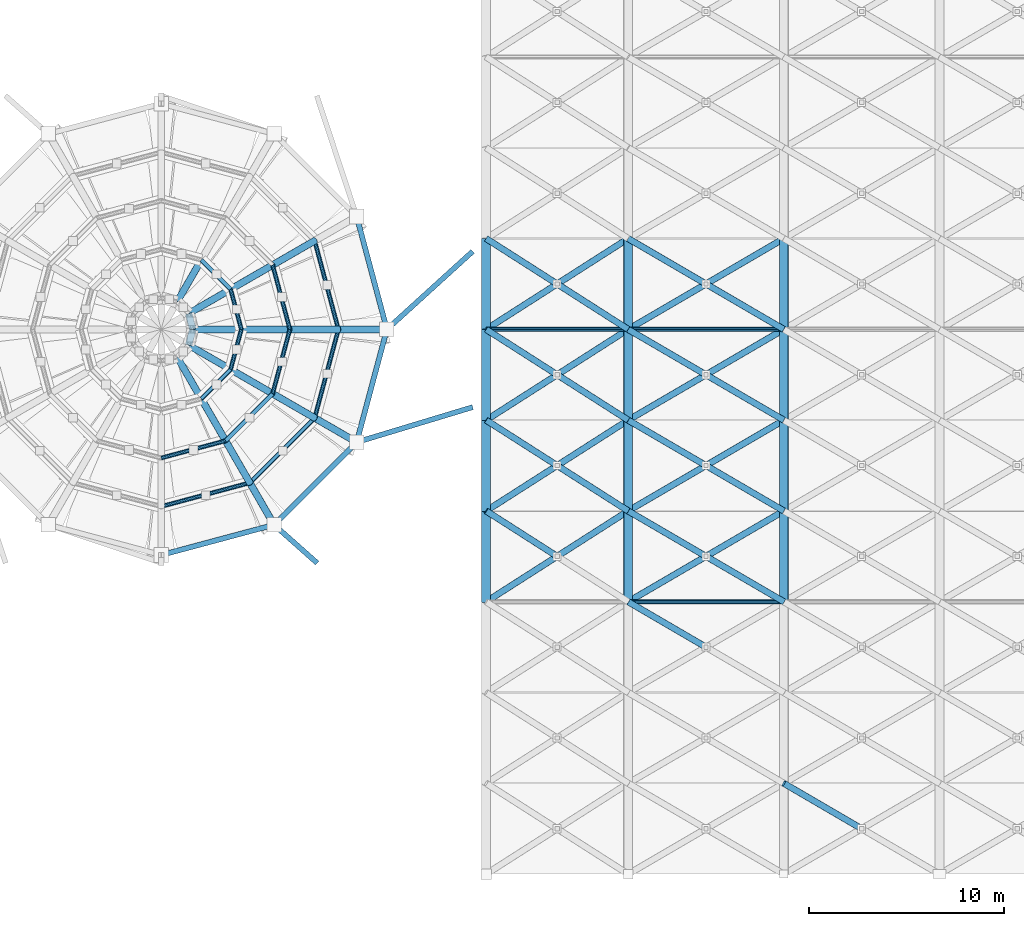
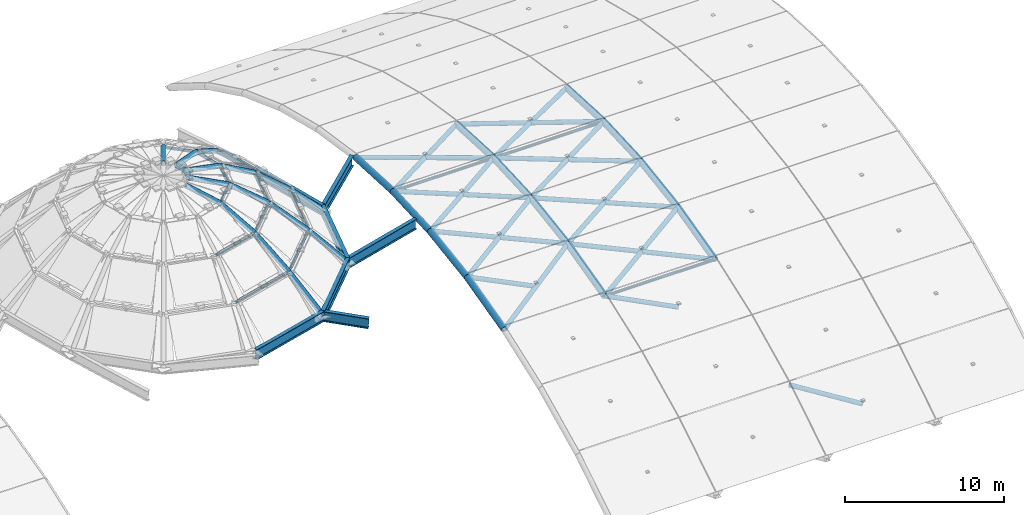
# One storey, part 8 of 21: 70 members, 7 beams.
"""IFC4 building model written with IfcOpenShell, lengths in metres."""

from ifc_helpers import new_model, si_unit, direction, frame, origin, origin_2d, place, context, subcontext, project, spatial, hollow_circle, i_section, extrude, material, material_profile, profile_set, type_object, element, save


model = new_model("IFC4")

# Units and contexts
model_context = context("Model", 3, precision=1e-05, world=origin(), true_north=direction((0.0, 1.0)))
body_context = subcontext(model_context, "Body", "Model", "MODEL_VIEW")
ifc_project = project(units=[si_unit("LENGTHUNIT", "METRE"), si_unit("AREAUNIT", "SQUARE_METRE"), si_unit("VOLUMEUNIT", "CUBIC_METRE"), si_unit("PLANEANGLEUNIT", "RADIAN"), si_unit("MASSUNIT", "GRAM", prefix="KILO")], contexts=[model_context])

# Site, building, storey
site_placement = place(None, origin())
site = spatial("IfcSite", under=ifc_project, at=site_placement, CompositionType="ELEMENT")
building_placement = place(site_placement, origin())
building = spatial("IfcBuilding", under=site, at=building_placement, Name="Solmirada Galleria", CompositionType="ELEMENT")
storey_placement = place(building_placement, frame((0.0, 0.0, 37.5)))
storey = spatial("IfcBuildingStorey", under=building, at=storey_placement, Name="RF", CompositionType="ELEMENT", Elevation=37.5)

# Beams
ifc_material_1 = material(Name="Steel S355 / ASTM A992 Grade 50", Category="steel")
ifc_material_profile_1 = material_profile(ifc_material_1, i_section(OverallWidth=0.26708984375, OverallDepth=0.779052734375, WebThickness=0.0166015625, FlangeThickness=0.030029296875, FilletRadius=0.01904296875, at=origin_2d()), Name="W30X148")
ifc_profile_set_1 = profile_set([ifc_material_profile_1], Name="Steel S355 / ASTM A992 Grade 50")
beam_type = type_object("IfcBeamType", Name="BM-DOME-RING", PredefinedType="BEAM", material=ifc_profile_set_1)
beam_1_placement = place(storey_placement, frame((112.0, 64.0, -0.14990234375), z_axis=(-0.739697640812, -0.672467325883, 0.025201107061), x_axis=(0.672680968237, -0.739932642186, 0.0)))
element("IfcBeam", 1, at=beam_1_placement, inside=storey, type_object=beam_type, Name="Atrium dome drum anchor beam 1", PredefinedType="BEAM", context=body_context, shape_type="SweptSolid", body=[
    extrude(i_section(OverallWidth=0.26708984375, OverallDepth=0.779052734375, WebThickness=0.0166015625, FlangeThickness=0.030029296875, FilletRadius=0.01904296875, at=origin_2d()), origin(), (0.0, 0.0, 1.0), 5.9482421875),
])
for number, where, z_axis, x_axis, name in (
    (2, (107.60009765625, 60.0, 0.0), (-0.258831602855, 0.965922461362, 0.0), (-0.965922461362, -0.258831602855, 0.0), "Atrium dome tension ring beam 1"),
    (3, (96.0, 48.39990234375, 0.0), (0.965922461362, 0.258831602855, 0.0), (-0.258831602855, 0.965922461362, 0.0), "Atrium dome tension ring beam 10"),
):
    element("IfcBeam", number, at=place(storey_placement, frame(where, z_axis=z_axis, x_axis=x_axis)), inside=storey, type_object=beam_type, Name=name, PredefinedType="BEAM", context=body_context, shape_type="SweptSolid", body=[
        extrude(i_section(OverallWidth=0.26708984375, OverallDepth=0.779052734375, WebThickness=0.0166015625, FlangeThickness=0.030029296875, FilletRadius=0.01904296875, at=origin_2d()), origin(), (0.0, 0.0, 1.0), 6.004638671875),
    ])
beam_2_placement = place(storey_placement, frame((104.0, 48.0, -0.14990234375), z_axis=(-0.746679017327, 0.663235917733, 0.050877917727), x_axis=(-0.664096001696, -0.747647310255, 0.0)))
element("IfcBeam", 4, at=beam_2_placement, inside=storey, type_object=beam_type, Name="Atrium dome drum anchor beam 11", PredefinedType="BEAM", context=body_context, shape_type="SweptSolid", body=[
    extrude(i_section(OverallWidth=0.26708984375, OverallDepth=0.779052734375, WebThickness=0.0166015625, FlangeThickness=0.030029296875, FilletRadius=0.01904296875, at=origin_2d()), origin(), (0.0, 0.0, 1.0), 2.9462890625),
])
beam_3_placement = place(storey_placement, frame((101.800048828125, 49.9541015625, 0.0), z_axis=(0.707106781187, 0.707106781187, 0.0), x_axis=(-0.707106781187, 0.707106781187, 0.0)))
element("IfcBeam", 5, at=beam_3_placement, inside=storey, type_object=beam_type, Name="Atrium dome tension ring beam 11", PredefinedType="BEAM", context=body_context, shape_type="SweptSolid", body=[
    extrude(i_section(OverallWidth=0.26708984375, OverallDepth=0.779052734375, WebThickness=0.0166015625, FlangeThickness=0.030029296875, FilletRadius=0.01904296875, at=origin_2d()), origin(), (0.0, 0.0, 1.0), 6.004638671875),
])
beam_4_placement = place(storey_placement, frame((112.0, 56.0, -0.14990234375), z_axis=(-0.956934854182, -0.289301323597, 0.024092094492), x_axis=(0.289385319605, -0.957212691515, 0.0)))
element("IfcBeam", 6, at=beam_4_placement, inside=storey, type_object=beam_type, Name="Atrium dome drum anchor beam 12", PredefinedType="BEAM", context=body_context, shape_type="SweptSolid", body=[
    extrude(i_section(OverallWidth=0.26708984375, OverallDepth=0.779052734375, WebThickness=0.0166015625, FlangeThickness=0.030029296875, FilletRadius=0.01904296875, at=origin_2d()), origin(), (0.0, 0.0, 1.0), 6.22216796875),
])
beam_5_placement = place(storey_placement, frame((106.0458984375, 54.199951171875, 0.0), z_axis=(0.258831602855, 0.965922461362, 0.0), x_axis=(-0.965922461362, 0.258831602855, 0.0)))
element("IfcBeam", 7, at=beam_5_placement, inside=storey, type_object=beam_type, Name="Atrium dome tension ring beam 12", PredefinedType="BEAM", context=body_context, shape_type="SweptSolid", body=[
    extrude(i_section(OverallWidth=0.26708984375, OverallDepth=0.779052734375, WebThickness=0.0166015625, FlangeThickness=0.030029296875, FilletRadius=0.01904296875, at=origin_2d()), origin(), (0.0, 0.0, 1.0), 6.004638671875),
])

# Members
ifc_material_2 = material(Name="Steel S355 / ASTM A500 Grade C", Category="steel")
ifc_material_profile_2 = material_profile(ifc_material_2, hollow_circle(Radius=0.109619140625, WallThickness=0.007568359375, at=origin_2d()), Name="HSS8.625X0.322")
ifc_profile_set_2 = profile_set([ifc_material_profile_2], Name="Steel S355 / ASTM A500 Grade C")
member_type_1 = type_object("IfcMemberType", Name="MEM-DOME-PURL", PredefinedType="PURLIN", material=ifc_profile_set_2)
member_1_placement = place(storey_placement, frame((112.699951171875, 60.0, -0.360107421875), z_axis=(1.0, 0.0, 0.0), x_axis=(0.0, 1.0, 0.0)))
element("IfcMember", 8, at=member_1_placement, inside=storey, type_object=member_type_1, Name="Barrel gridshell longitudinal tie E00-06", PredefinedType="PURLIN", context=body_context, shape_type="SweptSolid", body=[
    extrude(hollow_circle(Radius=0.109619140625, WallThickness=0.007568359375, at=origin_2d()), origin(), (0.0, 0.0, 1.0), 7.300048828125),
])
for number, where, z_axis, x_axis, name in (
    (9, (120.0, 46.0, -2.471923828125), (1.0, 0.0, 0.0), (0.0, 1.0, 0.0), "Barrel gridshell longitudinal tie E01-03"),
    (10, (120.0, 60.0, -0.360107421875), (1.0, 0.0, 0.0), (0.0, 1.0, 0.0), "Barrel gridshell longitudinal tie E01-06"),
):
    element("IfcMember", number, at=place(storey_placement, frame(where, z_axis=z_axis, x_axis=x_axis)), inside=storey, type_object=member_type_1, Name=name, PredefinedType="PURLIN", context=body_context, shape_type="SweptSolid", body=[
        extrude(hollow_circle(Radius=0.109619140625, WallThickness=0.007568359375, at=origin_2d()), origin(), (0.0, 0.0, 1.0), 8.0),
    ])
for number, where, z_axis, x_axis, name in (
    (11, (105.10595703125, 60.0, 2.4873046875), (-0.258819794647, 0.965925625449, 0.0), (-0.965925625449, -0.258819794647, 0.0), "Atrium dome latitude ring purlin 1.1"),
    (12, (96.0, 50.89404296875, 2.4873046875), (0.965925625449, 0.258819794647, 0.0), (-0.258819794647, 0.965925625449, 0.0), "Atrium dome latitude ring purlin 10.1"),
    (13, (100.552978515625, 52.114013671875, 2.4873046875), (0.707106781187, 0.707106781187, 0.0), (-0.707106781187, 0.707106781187, 0.0), "Atrium dome latitude ring purlin 11.1"),
    (14, (103.885986328125, 55.447021484375, 2.4873046875), (0.258819794647, 0.965925625449, 0.0), (-0.965925625449, 0.258819794647, 0.0), "Atrium dome latitude ring purlin 12.1"),
):
    element("IfcMember", number, at=place(storey_placement, frame(where, z_axis=z_axis, x_axis=x_axis)), inside=storey, type_object=member_type_1, Name=name, PredefinedType="PURLIN", context=body_context, shape_type="SweptSolid", body=[
        extrude(hollow_circle(Radius=0.109619140625, WallThickness=0.007568359375, at=origin_2d()), origin(), (0.0, 0.0, 1.0), 4.713623046875),
    ])
for number, where, z_axis, x_axis, name in (
    (15, (102.612060546875, 60.0, 4.59619140625), (-0.258799077462, 0.965931176381, 0.0), (-0.965931176381, -0.258799077462, 0.0), "Atrium dome latitude ring purlin 1.2"),
    (16, (96.0, 53.387939453125, 4.59619140625), (0.965931176381, 0.258799077462, 0.0), (-0.258799077462, 0.965931176381, 0.0), "Atrium dome latitude ring purlin 10.2"),
):
    element("IfcMember", number, at=place(storey_placement, frame(where, z_axis=z_axis, x_axis=x_axis)), inside=storey, type_object=member_type_1, Name=name, PredefinedType="PURLIN", context=body_context, shape_type="SweptSolid", body=[
        extrude(hollow_circle(Radius=0.109619140625, WallThickness=0.007568359375, at=origin_2d()), origin(), (0.0, 0.0, 1.0), 3.422607421875),
    ])
member_2_placement = place(storey_placement, frame((99.305908203125, 54.273681640625, 4.59619140625), z_axis=(0.707106781187, 0.707106781187, 0.0), x_axis=(-0.707106781187, 0.707106781187, 0.0)))
element("IfcMember", 17, at=member_2_placement, inside=storey, type_object=member_type_1, Name="Atrium dome latitude ring purlin 11.2", PredefinedType="PURLIN", context=body_context, shape_type="SweptSolid", body=[
    extrude(hollow_circle(Radius=0.109619140625, WallThickness=0.007568359375, at=origin_2d()), origin(), (0.0, 0.0, 1.0), 3.423095703125),
])
member_3_placement = place(storey_placement, frame((101.726318359375, 56.694091796875, 4.59619140625), z_axis=(0.258799077462, 0.965931176381, 0.0), x_axis=(-0.965931176381, 0.258799077462, 0.0)))
element("IfcMember", 18, at=member_3_placement, inside=storey, type_object=member_type_1, Name="Atrium dome latitude ring purlin 12.2", PredefinedType="PURLIN", context=body_context, shape_type="SweptSolid", body=[
    extrude(hollow_circle(Radius=0.109619140625, WallThickness=0.007568359375, at=origin_2d()), origin(), (0.0, 0.0, 1.0), 3.422607421875),
])
for number, where, z_axis, x_axis, name in (
    (19, (100.117919921875, 60.0, 6.005126953125), (-0.258724635553, 0.965951118307, 0.0), (-0.965951118307, -0.258724635553, 0.0), "Atrium dome latitude ring purlin 1.3"),
    (20, (99.56640625, 62.05908203125, 6.005126953125), (-0.707106781187, 0.707106781187, 0.0), (-0.707106781187, -0.707106781187, 0.0), "Atrium dome latitude ring purlin 2.3"),
    (21, (98.05908203125, 56.43359375, 6.005126953125), (0.707106781187, 0.707106781187, 0.0), (-0.707106781187, 0.707106781187, 0.0), "Atrium dome latitude ring purlin 11.3"),
    (22, (99.56640625, 57.94091796875, 6.005126953125), (0.258724635553, 0.965951118307, 0.0), (-0.965951118307, 0.258724635553, 0.0), "Atrium dome latitude ring purlin 12.3"),
):
    element("IfcMember", number, at=place(storey_placement, frame(where, z_axis=z_axis, x_axis=x_axis)), inside=storey, type_object=member_type_1, Name=name, PredefinedType="PURLIN", context=body_context, shape_type="SweptSolid", body=[
        extrude(hollow_circle(Radius=0.109619140625, WallThickness=0.007568359375, at=origin_2d()), origin(), (0.0, 0.0, 1.0), 2.131591796875),
    ])
ifc_material_profile_3 = material_profile(ifc_material_2, hollow_circle(Radius=0.177978515625, WallThickness=0.01171875, at=origin_2d()), Name="HSS14.000X0.500")
ifc_profile_set_3 = profile_set([ifc_material_profile_3], Name="Steel S355 / ASTM A500 Grade C")
member_type_2 = type_object("IfcMemberType", Name="MEM-DOME-RIB", PredefinedType="RAFTER", material=ifc_profile_set_3)
for number, where, z_axis, x_axis, name in (
    (23, (97.6240234375, 60.0, 6.5), (-0.258765118567, 0.965940274247, 0.0), (-0.965940274247, -0.258765118567, 0.0), "Atrium dome crown compression ring 1"),
    (24, (97.406494140625, 59.18798828125, 6.5), (0.258765118567, 0.965940274247, 0.0), (-0.965940274247, 0.258765118567, 0.0), "Atrium dome crown compression ring 12"),
):
    element("IfcMember", number, at=place(storey_placement, frame(where, z_axis=z_axis, x_axis=x_axis)), inside=storey, type_object=member_type_2, Name=name, PredefinedType="RAFTER", context=body_context, shape_type="SweptSolid", body=[
        extrude(hollow_circle(Radius=0.177978515625, WallThickness=0.01171875, at=origin_2d()), origin(), (0.0, 0.0, 1.0), 0.840576171875),
    ])
for number, where, z_axis, x_axis, name in (
    (25, (107.60009765625, 60.0, 0.0), (-0.708076462934, 0.0, 0.706135767851), (0.0, -1.0, 0.0), "Atrium dome meridian rib 1.1"),
    (26, (101.800048828125, 49.9541015625, 0.0), (-0.354042979296, 0.613198558699, 0.706145237484), (-0.866017682129, -0.500013374061, 0.0), "Atrium dome meridian rib 11.1"),
    (27, (106.0458984375, 54.199951171875, 0.0), (-0.613198558699, 0.354042979296, 0.706145237484), (-0.500013374061, -0.866017682129, 0.0), "Atrium dome meridian rib 12.1"),
):
    element("IfcMember", number, at=place(storey_placement, frame(where, z_axis=z_axis, x_axis=x_axis)), inside=storey, type_object=member_type_2, Name=name, PredefinedType="RAFTER", context=body_context, shape_type="SweptSolid", body=[
        extrude(hollow_circle(Radius=0.177978515625, WallThickness=0.01171875, at=origin_2d()), origin(), (0.0, 0.0, 1.0), 3.5224609375),
    ])
for number, where, z_axis, x_axis, name in (
    (28, (105.10595703125, 60.0, 2.4873046875), (-0.763587562078, 0.0, 0.645704293806), (0.0, -1.0, 0.0), "Atrium dome meridian rib 1.2"),
    (29, (103.885986328125, 64.552978515625, 2.4873046875), (-0.661257882083, -0.381834191915, 0.645709426343), (0.500055764683, -0.865993205636, 0.0), "Atrium dome meridian rib 2.2"),
    (30, (100.552978515625, 52.114013671875, 2.4873046875), (-0.381834191915, 0.661257882083, 0.645709426343), (-0.865993205636, -0.500055764683, 0.0), "Atrium dome meridian rib 11.2"),
    (31, (103.885986328125, 55.447021484375, 2.4873046875), (-0.661257882083, 0.381834191915, 0.645709426343), (-0.500055764683, -0.865993205636, 0.0), "Atrium dome meridian rib 12.2"),
):
    element("IfcMember", number, at=place(storey_placement, frame(where, z_axis=z_axis, x_axis=x_axis)), inside=storey, type_object=member_type_2, Name=name, PredefinedType="RAFTER", context=body_context, shape_type="SweptSolid", body=[
        extrude(hollow_circle(Radius=0.177978515625, WallThickness=0.01171875, at=origin_2d()), origin(), (0.0, 0.0, 1.0), 3.26611328125),
    ])
for number, where, z_axis, x_axis, name in (
    (32, (102.612060546875, 60.0, 4.59619140625), (-0.870681862804, 0.0, 0.491846616116), (0.0, -1.0, 0.0), "Atrium dome meridian rib 1.3"),
    (33, (101.726318359375, 63.305908203125, 4.59619140625), (-0.754048985924, -0.435280679452, 0.491874838676), (0.499939953764, -0.866060068719, 0.0), "Atrium dome meridian rib 2.3"),
    (34, (99.305908203125, 54.273681640625, 4.59619140625), (-0.435280679452, 0.754048985924, 0.491874838676), (-0.866060068719, -0.499939953764, 0.0), "Atrium dome meridian rib 11.3"),
    (35, (101.726318359375, 56.694091796875, 4.59619140625), (-0.754048985924, 0.435280679452, 0.491874838676), (-0.499939953764, -0.866060068719, 0.0), "Atrium dome meridian rib 12.3"),
):
    element("IfcMember", number, at=place(storey_placement, frame(where, z_axis=z_axis, x_axis=x_axis)), inside=storey, type_object=member_type_2, Name=name, PredefinedType="RAFTER", context=body_context, shape_type="SweptSolid", body=[
        extrude(hollow_circle(Radius=0.177978515625, WallThickness=0.01171875, at=origin_2d()), origin(), (0.0, 0.0, 1.0), 2.864501953125),
    ])
member_4_placement = place(storey_placement, frame((100.117919921875, 60.0, 6.005126953125), z_axis=(-0.980875018314, 0.0, 0.194638635548), x_axis=(0.0, -1.0, 0.0)))
element("IfcMember", 36, at=member_4_placement, inside=storey, type_object=member_type_2, Name="Atrium dome meridian rib 1.4", PredefinedType="RAFTER", context=body_context, shape_type="SweptSolid", body=[
    extrude(hollow_circle(Radius=0.177978515625, WallThickness=0.01171875, at=origin_2d()), origin(), (0.0, 0.0, 1.0), 2.54248046875),
])
for number, where, z_axis, x_axis, name in (
    (37, (99.56640625, 62.05908203125, 6.005126953125), (-0.849457399103, -0.490451949205, 0.194625313437), (0.500013374061, -0.866017682129, 0.0), "Atrium dome meridian rib 2.4"),
    (38, (98.05908203125, 63.56640625, 6.005126953125), (-0.490451949205, -0.849457399103, 0.194625313437), (0.866017682129, -0.500013374061, 0.0), "Atrium dome meridian rib 3.4"),
    (39, (98.05908203125, 56.43359375, 6.005126953125), (-0.490451949205, 0.849457399103, 0.194625313437), (-0.866017682129, -0.500013374061, 0.0), "Atrium dome meridian rib 11.4"),
    (40, (99.56640625, 57.94091796875, 6.005126953125), (-0.849457399103, 0.490451949205, 0.194625313437), (-0.500013374061, -0.866017682129, 0.0), "Atrium dome meridian rib 12.4"),
):
    element("IfcMember", number, at=place(storey_placement, frame(where, z_axis=z_axis, x_axis=x_axis)), inside=storey, type_object=member_type_2, Name=name, PredefinedType="RAFTER", context=body_context, shape_type="SweptSolid", body=[
        extrude(hollow_circle(Radius=0.177978515625, WallThickness=0.01171875, at=origin_2d()), origin(), (0.0, 0.0, 1.0), 2.542724609375),
    ])
ifc_material_profile_4 = material_profile(ifc_material_2, hollow_circle(Radius=0.228515625, WallThickness=0.01171875, at=origin_2d()), Name="HSS18.000X0.500")
ifc_profile_set_4 = profile_set([ifc_material_profile_4], Name="Steel S355 / ASTM A500 Grade C")
member_type_3 = type_object("IfcMemberType", Name="MEM-VAULT-ARCH2", PredefinedType="RAFTER", material=ifc_profile_set_4)
member_5_placement = place(storey_placement, frame((112.699951171875, 46.0, -2.471923828125), z_axis=(0.0, 0.969334768515, 0.245743985782), x_axis=(-1.0, 0.0, 0.0)))
element("IfcMember", 41, at=member_5_placement, inside=storey, type_object=member_type_3, Name="Barrel vault arch rib E00-03", PredefinedType="RAFTER", context=body_context, shape_type="SweptSolid", body=[
    extrude(hollow_circle(Radius=0.228515625, WallThickness=0.01171875, at=origin_2d()), origin(), (0.0, 0.0, 1.0), 4.814453125),
])
member_6_placement = place(storey_placement, frame((112.699951171875, 50.666748046875, -1.288818359375), z_axis=(0.0, 0.988997751156, 0.14793055198), x_axis=(-1.0, 0.0, 0.0)))
element("IfcMember", 42, at=member_6_placement, inside=storey, type_object=member_type_3, Name="Barrel vault arch rib E00-04", PredefinedType="RAFTER", context=body_context, shape_type="SweptSolid", body=[
    extrude(hollow_circle(Radius=0.228515625, WallThickness=0.01171875, at=origin_2d()), origin(), (0.0, 0.0, 1.0), 4.718505859375),
])
for number, where, z_axis, x_axis, name in (
    (43, (112.699951171875, 55.333251953125, -0.5908203125), (0.0, 0.998780196655, 0.049377310271), (-1.0, 0.0, 0.0), "Barrel vault arch rib E00-05"),
    (44, (112.699951171875, 60.0, -0.360107421875), (0.0, 0.998780196655, -0.049377310271), (-1.0, 0.0, 0.0), "Barrel vault arch rib E00-06"),
):
    element("IfcMember", number, at=place(storey_placement, frame(where, z_axis=z_axis, x_axis=x_axis)), inside=storey, type_object=member_type_3, Name=name, PredefinedType="RAFTER", context=body_context, shape_type="SweptSolid", body=[
        extrude(hollow_circle(Radius=0.228515625, WallThickness=0.01171875, at=origin_2d()), origin(), (0.0, 0.0, 1.0), 4.67236328125),
    ])
member_7_placement = place(storey_placement, frame((120.0, 46.0, -2.471923828125), z_axis=(0.0, 0.969334768515, 0.245743985782), x_axis=(-1.0, 0.0, 0.0)))
element("IfcMember", 45, at=member_7_placement, inside=storey, type_object=member_type_3, Name="Barrel vault arch rib E01-03", PredefinedType="RAFTER", context=body_context, shape_type="SweptSolid", body=[
    extrude(hollow_circle(Radius=0.228515625, WallThickness=0.01171875, at=origin_2d()), origin(), (0.0, 0.0, 1.0), 4.814453125),
])
member_8_placement = place(storey_placement, frame((120.0, 50.666748046875, -1.288818359375), z_axis=(0.0, 0.988997751156, 0.14793055198), x_axis=(-1.0, 0.0, 0.0)))
element("IfcMember", 46, at=member_8_placement, inside=storey, type_object=member_type_3, Name="Barrel vault arch rib E01-04", PredefinedType="RAFTER", context=body_context, shape_type="SweptSolid", body=[
    extrude(hollow_circle(Radius=0.228515625, WallThickness=0.01171875, at=origin_2d()), origin(), (0.0, 0.0, 1.0), 4.718505859375),
])
for number, where, z_axis, x_axis, name in (
    (47, (120.0, 55.333251953125, -0.5908203125), (0.0, 0.998780196655, 0.049377310271), (-1.0, 0.0, 0.0), "Barrel vault arch rib E01-05"),
    (48, (120.0, 60.0, -0.360107421875), (0.0, 0.998780196655, -0.049377310271), (-1.0, 0.0, 0.0), "Barrel vault arch rib E01-06"),
):
    element("IfcMember", number, at=place(storey_placement, frame(where, z_axis=z_axis, x_axis=x_axis)), inside=storey, type_object=member_type_3, Name=name, PredefinedType="RAFTER", context=body_context, shape_type="SweptSolid", body=[
        extrude(hollow_circle(Radius=0.228515625, WallThickness=0.01171875, at=origin_2d()), origin(), (0.0, 0.0, 1.0), 4.67236328125),
    ])
member_9_placement = place(storey_placement, frame((128.0, 46.0, -2.471923828125), z_axis=(0.0, 0.969334768515, 0.245743985782), x_axis=(-1.0, 0.0, 0.0)))
element("IfcMember", 49, at=member_9_placement, inside=storey, type_object=member_type_3, Name="Barrel vault arch rib E02-03", PredefinedType="RAFTER", context=body_context, shape_type="SweptSolid", body=[
    extrude(hollow_circle(Radius=0.228515625, WallThickness=0.01171875, at=origin_2d()), origin(), (0.0, 0.0, 1.0), 4.814453125),
])
member_10_placement = place(storey_placement, frame((128.0, 50.666748046875, -1.288818359375), z_axis=(0.0, 0.988997751156, 0.14793055198), x_axis=(-1.0, 0.0, 0.0)))
element("IfcMember", 50, at=member_10_placement, inside=storey, type_object=member_type_3, Name="Barrel vault arch rib E02-04", PredefinedType="RAFTER", context=body_context, shape_type="SweptSolid", body=[
    extrude(hollow_circle(Radius=0.228515625, WallThickness=0.01171875, at=origin_2d()), origin(), (0.0, 0.0, 1.0), 4.718505859375),
])
for number, where, z_axis, x_axis, name in (
    (51, (128.0, 55.333251953125, -0.5908203125), (0.0, 0.998780196655, 0.049377310271), (-1.0, 0.0, 0.0), "Barrel vault arch rib E02-05"),
    (52, (128.0, 60.0, -0.360107421875), (0.0, 0.998780196655, -0.049377310271), (-1.0, 0.0, 0.0), "Barrel vault arch rib E02-06"),
):
    element("IfcMember", number, at=place(storey_placement, frame(where, z_axis=z_axis, x_axis=x_axis)), inside=storey, type_object=member_type_3, Name=name, PredefinedType="RAFTER", context=body_context, shape_type="SweptSolid", body=[
        extrude(hollow_circle(Radius=0.228515625, WallThickness=0.01171875, at=origin_2d()), origin(), (0.0, 0.0, 1.0), 4.67236328125),
    ])
ifc_material_profile_5 = material_profile(ifc_material_2, hollow_circle(Radius=0.162109375, WallThickness=0.0087890625, at=origin_2d()), Name="HSS12.750X0.375")
ifc_profile_set_5 = profile_set([ifc_material_profile_5], Name="Steel S355 / ASTM A500 Grade C")
member_type_4 = type_object("IfcMemberType", Name="MEM-VAULT-DIAG", PredefinedType="BRACE", material=ifc_profile_set_5)
member_11_placement = place(storey_placement, frame((112.699951171875, 46.0, -2.471923828125), z_axis=(0.834801251458, 0.533668637223, 0.135294701333), x_axis=(-0.538621041402, 0.842548143289, 0.0)))
element("IfcMember", 53, at=member_11_placement, inside=storey, type_object=member_type_4, Name="Barrel gridshell continuous diagonal E00-03", PredefinedType="BRACE", context=body_context, shape_type="SweptSolid", body=[
    extrude(hollow_circle(Radius=0.162109375, WallThickness=0.0087890625, at=origin_2d()), origin(), (0.0, 0.0, 1.0), 8.74462890625),
])
member_12_placement = place(storey_placement, frame((112.699951171875, 50.666748046875, -1.288818359375), z_axis=(0.834797275915, -0.533676166356, -0.135289532442), x_axis=(0.538628256713, 0.842543530668, 0.0)))
element("IfcMember", 54, at=member_12_placement, inside=storey, type_object=member_type_4, Name="Barrel gridshell split diagonal B1 E00-03", PredefinedType="BRACE", context=body_context, shape_type="SweptSolid", body=[
    extrude(hollow_circle(Radius=0.162109375, WallThickness=0.0087890625, at=origin_2d()), origin(), (0.0, 0.0, 1.0), 4.37255859375),
])
member_13_placement = place(storey_placement, frame((112.699951171875, 50.666748046875, -1.288818359375), z_axis=(0.839839964864, 0.536861679824, 0.080301744408), x_axis=(-0.538601037793, 0.842560930787, 0.0)))
element("IfcMember", 55, at=member_13_placement, inside=storey, type_object=member_type_4, Name="Barrel gridshell continuous diagonal E00-04", PredefinedType="BRACE", context=body_context, shape_type="SweptSolid", body=[
    extrude(hollow_circle(Radius=0.162109375, WallThickness=0.0087890625, at=origin_2d()), origin(), (0.0, 0.0, 1.0), 8.692138671875),
])
member_14_placement = place(storey_placement, frame((112.699951171875, 55.333251953125, -0.5908203125), z_axis=(0.839850134871, -0.536850226672, -0.080271944534), x_axis=(0.53858825058, 0.842569104784, 0.0)))
element("IfcMember", 56, at=member_14_placement, inside=storey, type_object=member_type_4, Name="Barrel gridshell split diagonal B1 E00-04", PredefinedType="BRACE", context=body_context, shape_type="SweptSolid", body=[
    extrude(hollow_circle(Radius=0.162109375, WallThickness=0.0087890625, at=origin_2d()), origin(), (0.0, 0.0, 1.0), 4.34619140625),
])
member_15_placement = place(storey_placement, frame((116.35009765625, 53.0, -0.939697265625), z_axis=(0.839829793479, -0.536873132861, -0.080331545463), x_axis=(0.538613825489, 0.842552756207, 0.0)))
element("IfcMember", 57, at=member_15_placement, inside=storey, type_object=member_type_4, Name="Barrel gridshell split diagonal B2 E00-04", PredefinedType="BRACE", context=body_context, shape_type="SweptSolid", body=[
    extrude(hollow_circle(Radius=0.162109375, WallThickness=0.0087890625, at=origin_2d()), origin(), (0.0, 0.0, 1.0), 4.345947265625),
])
member_16_placement = place(storey_placement, frame((112.699951171875, 55.333251953125, -0.5908203125), z_axis=(0.842249594376, 0.538430186164, 0.026618703946), x_axis=(-0.538621041402, 0.842548143289, 0.0)))
element("IfcMember", 58, at=member_16_placement, inside=storey, type_object=member_type_4, Name="Barrel gridshell continuous diagonal E00-05", PredefinedType="BRACE", context=body_context, shape_type="SweptSolid", body=[
    extrude(hollow_circle(Radius=0.162109375, WallThickness=0.0087890625, at=origin_2d()), origin(), (0.0, 0.0, 1.0), 8.667236328125),
])
for number, where, z_axis, x_axis, name in (
    (59, (112.699951171875, 60.0, -0.360107421875), (0.842271184741, -0.538397813696, -0.026590328352), (0.53858825058, 0.842569104784, 0.0), "Barrel gridshell split diagonal B1 E00-05"),
    (60, (116.35009765625, 57.666748046875, -0.475341796875), (0.842228001721, -0.53846255789, -0.026647079921), (0.53865383197, 0.842527180158, 0.0), "Barrel gridshell split diagonal B2 E00-05"),
):
    element("IfcMember", number, at=place(storey_placement, frame(where, z_axis=z_axis, x_axis=x_axis)), inside=storey, type_object=member_type_4, Name=name, PredefinedType="BRACE", context=body_context, shape_type="SweptSolid", body=[
        extrude(hollow_circle(Radius=0.162109375, WallThickness=0.0087890625, at=origin_2d()), origin(), (0.0, 0.0, 1.0), 4.333740234375),
    ])
member_17_placement = place(storey_placement, frame((112.699951171875, 60.0, -0.360107421875), z_axis=(0.842249594376, 0.538430186164, -0.026618703946), x_axis=(-0.538621041402, 0.842548143289, 0.0)))
element("IfcMember", 61, at=member_17_placement, inside=storey, type_object=member_type_4, Name="Barrel gridshell continuous diagonal E00-06", PredefinedType="BRACE", context=body_context, shape_type="SweptSolid", body=[
    extrude(hollow_circle(Radius=0.162109375, WallThickness=0.0087890625, at=origin_2d()), origin(), (0.0, 0.0, 1.0), 8.667236328125),
])
for number, where, z_axis, x_axis, name in (
    (62, (112.699951171875, 64.666748046875, -0.5908203125), (0.842269921704, -0.538397006336, 0.026646623836), (0.53858825058, 0.842569104784, 0.0), "Barrel gridshell split diagonal B1 E00-06"),
    (63, (116.35009765625, 62.33349609375, -0.475341796875), (0.842229264739, -0.538463365376, 0.026590783475), (0.53865383197, 0.842527180158, 0.0), "Barrel gridshell split diagonal B2 E00-06"),
):
    element("IfcMember", number, at=place(storey_placement, frame(where, z_axis=z_axis, x_axis=x_axis)), inside=storey, type_object=member_type_4, Name=name, PredefinedType="BRACE", context=body_context, shape_type="SweptSolid", body=[
        extrude(hollow_circle(Radius=0.162109375, WallThickness=0.0087890625, at=origin_2d()), origin(), (0.0, 0.0, 1.0), 4.333740234375),
    ])
member_18_placement = place(storey_placement, frame((120.0, 46.0, -2.471923828125), z_axis=(0.849581607741, -0.4955719864, -0.18060868773), x_axis=(0.503857913421, 0.863786549492, 0.0)))
element("IfcMember", 64, at=member_18_placement, inside=storey, type_object=member_type_4, Name="Barrel gridshell split diagonal B1 E01-02", PredefinedType="BRACE", context=body_context, shape_type="SweptSolid", body=[
    extrude(hollow_circle(Radius=0.162109375, WallThickness=0.0087890625, at=origin_2d()), origin(), (0.0, 0.0, 1.0), 4.708251953125),
])
member_19_placement = place(storey_placement, frame((120.0, 46.0, -2.471923828125), z_axis=(0.856812609173, 0.499816071299, 0.126712460451), x_axis=(-0.503877581445, 0.863775076578, 0.0)))
element("IfcMember", 65, at=member_19_placement, inside=storey, type_object=member_type_4, Name="Barrel gridshell continuous diagonal E01-03", PredefinedType="BRACE", context=body_context, shape_type="SweptSolid", body=[
    extrude(hollow_circle(Radius=0.162109375, WallThickness=0.0087890625, at=origin_2d()), origin(), (0.0, 0.0, 1.0), 9.3369140625),
])
for number, where, z_axis, x_axis, name in (
    (66, (120.0, 50.666748046875, -1.288818359375), (0.856801411318, -0.499835686608, -0.12671080442), (0.503897248685, 0.863763603521, 0.0), "Barrel gridshell split diagonal B1 E01-03"),
    (67, (124.0, 48.333251953125, -1.88037109375), (0.856823806881, -0.499796455222, -0.126714116459), (0.503857913421, 0.863786549492, 0.0), "Barrel gridshell split diagonal B2 E01-03"),
):
    element("IfcMember", number, at=place(storey_placement, frame(where, z_axis=z_axis, x_axis=x_axis)), inside=storey, type_object=member_type_4, Name=name, PredefinedType="BRACE", context=body_context, shape_type="SweptSolid", body=[
        extrude(hollow_circle(Radius=0.162109375, WallThickness=0.0087890625, at=origin_2d()), origin(), (0.0, 0.0, 1.0), 4.66845703125),
    ])
member_20_placement = place(storey_placement, frame((120.0, 50.666748046875, -1.288818359375), z_axis=(0.861343836227, 0.502433047047, 0.075152039422), x_axis=(-0.503857913421, 0.863786549492, 0.0)))
element("IfcMember", 68, at=member_20_placement, inside=storey, type_object=member_type_4, Name="Barrel gridshell continuous diagonal E01-04", PredefinedType="BRACE", context=body_context, shape_type="SweptSolid", body=[
    extrude(hollow_circle(Radius=0.162109375, WallThickness=0.0087890625, at=origin_2d()), origin(), (0.0, 0.0, 1.0), 9.287841796875),
])
for number, where, z_axis, x_axis, name in (
    (69, (120.0, 55.333251953125, -0.5908203125), (0.861345537481, -0.502434039411, -0.075125901676), (0.503857913421, 0.863786549492, 0.0), "Barrel gridshell split diagonal B1 E01-04"),
    (70, (124.0, 53.0, -0.939697265625), (0.861342134387, -0.502432054342, -0.075178177013), (0.503857913421, 0.863786549492, 0.0), "Barrel gridshell split diagonal B2 E01-04"),
):
    element("IfcMember", number, at=place(storey_placement, frame(where, z_axis=z_axis, x_axis=x_axis)), inside=storey, type_object=member_type_4, Name=name, PredefinedType="BRACE", context=body_context, shape_type="SweptSolid", body=[
        extrude(hollow_circle(Radius=0.162109375, WallThickness=0.0087890625, at=origin_2d()), origin(), (0.0, 0.0, 1.0), 4.643798828125),
    ])
member_21_placement = place(storey_placement, frame((120.0, 55.333251953125, -0.5908203125), z_axis=(0.863507200646, 0.50372131776, 0.024902780292), x_axis=(-0.503877581445, 0.863775076578, 0.0)))
element("IfcMember", 71, at=member_21_placement, inside=storey, type_object=member_type_4, Name="Barrel gridshell continuous diagonal E01-05", PredefinedType="BRACE", context=body_context, shape_type="SweptSolid", body=[
    extrude(hollow_circle(Radius=0.162109375, WallThickness=0.0087890625, at=origin_2d()), origin(), (0.0, 0.0, 1.0), 9.2646484375),
])
for number, where, z_axis, x_axis, name in (
    (72, (120.0, 60.0, -0.360107421875), (0.863519229282, -0.503701982071, -0.024876774672), (0.503857913421, 0.863786549492, 0.0), "Barrel gridshell split diagonal B1 E01-05"),
    (73, (124.0, 57.666748046875, -0.475341796875), (0.863495171314, -0.503740652308, -0.024928785158), (0.503897248685, 0.863763603521, 0.0), "Barrel gridshell split diagonal B2 E01-05"),
):
    element("IfcMember", number, at=place(storey_placement, frame(where, z_axis=z_axis, x_axis=x_axis)), inside=storey, type_object=member_type_4, Name=name, PredefinedType="BRACE", context=body_context, shape_type="SweptSolid", body=[
        extrude(hollow_circle(Radius=0.162109375, WallThickness=0.0087890625, at=origin_2d()), origin(), (0.0, 0.0, 1.0), 4.63232421875),
    ])
member_22_placement = place(storey_placement, frame((120.0, 60.0, -0.360107421875), z_axis=(0.863507200646, 0.50372131776, -0.024902780292), x_axis=(-0.503877581445, 0.863775076578, 0.0)))
element("IfcMember", 74, at=member_22_placement, inside=storey, type_object=member_type_4, Name="Barrel gridshell continuous diagonal E01-06", PredefinedType="BRACE", context=body_context, shape_type="SweptSolid", body=[
    extrude(hollow_circle(Radius=0.162109375, WallThickness=0.0087890625, at=origin_2d()), origin(), (0.0, 0.0, 1.0), 9.2646484375),
])
for number, where, z_axis, x_axis, name in (
    (75, (120.0, 64.666748046875, -0.5908203125), (0.863518095898, -0.503701320953, 0.024929446982), (0.503857913421, 0.863786549492, 0.0), "Barrel gridshell split diagonal B1 E01-06"),
    (76, (124.0, 62.33349609375, -0.475341796875), (0.863496304608, -0.503741313442, 0.024876114244), (0.503897248685, 0.863763603521, 0.0), "Barrel gridshell split diagonal B2 E01-06"),
):
    element("IfcMember", number, at=place(storey_placement, frame(where, z_axis=z_axis, x_axis=x_axis)), inside=storey, type_object=member_type_4, Name=name, PredefinedType="BRACE", context=body_context, shape_type="SweptSolid", body=[
        extrude(hollow_circle(Radius=0.162109375, WallThickness=0.0087890625, at=origin_2d()), origin(), (0.0, 0.0, 1.0), 4.63232421875),
    ])
member_23_placement = place(storey_placement, frame((128.0, 36.666748046875, -6.441650390625), z_axis=(0.823831262204, -0.480601758066, -0.300539517468), x_axis=(0.503897248685, 0.863763603521, 0.0)))
element("IfcMember", 77, at=member_23_placement, inside=storey, type_object=member_type_4, Name="Barrel gridshell split diagonal B1 E02-00", PredefinedType="BRACE", context=body_context, shape_type="SweptSolid", body=[
    extrude(hollow_circle(Radius=0.162109375, WallThickness=0.0087890625, at=origin_2d()), origin(), (0.0, 0.0, 1.0), 4.85546875),
])

save(model, "model.ifc")
